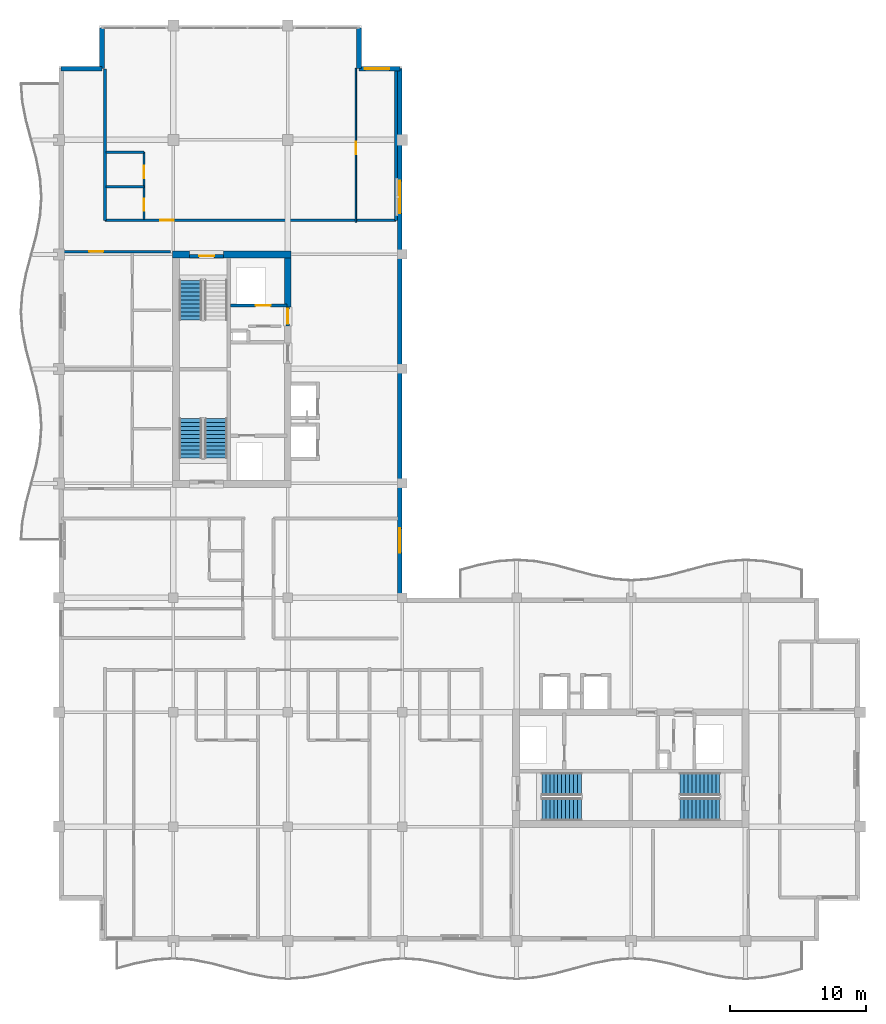
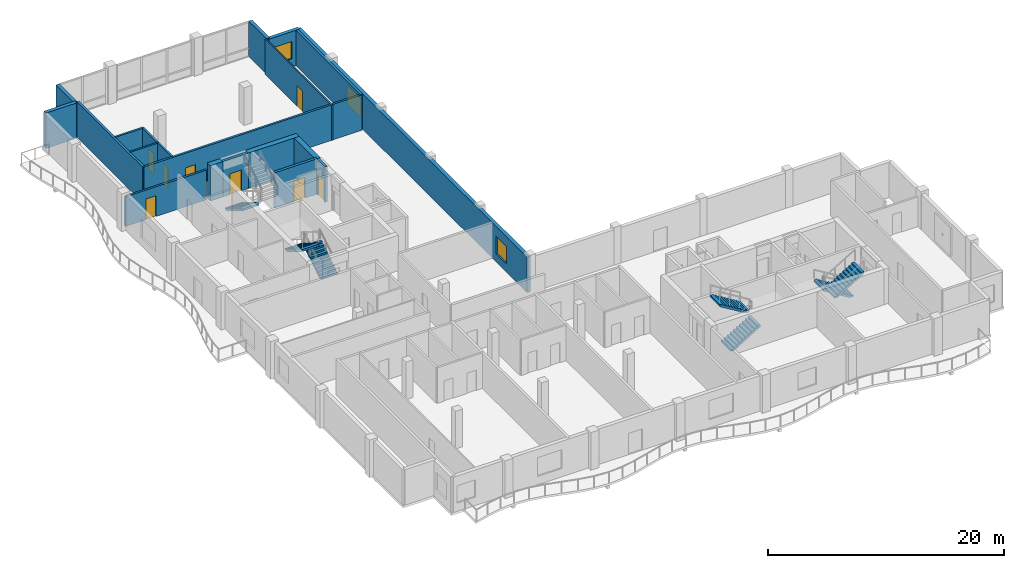
# One storey, part 10 of 17: 19 walls, 8 doors, 7 stair flights, 3 windows, 11 openings, 4 elements without a shape of their own.
"""IFC4 building model written with IfcOpenShell, lengths in metres."""

from ifc_helpers import new_model, si_unit, direction, frame, frame_2d, origin, place, context, subcontext, project, spatial, polyline, rectangle, outline, extrude, material, layer, layer_set, type_object, element, fill, aggregate, save


model = new_model("IFC4")

# Units and contexts
model_context = context("Model", 3, precision=1e-05, world=origin(), true_north=direction((0.0, 1.0)))
body_context = subcontext(model_context, "Body", "Model", "MODEL_VIEW")
ifc_project = project(units=[si_unit("LENGTHUNIT", "METRE"), si_unit("AREAUNIT", "SQUARE_METRE"), si_unit("VOLUMEUNIT", "CUBIC_METRE"), si_unit("PLANEANGLEUNIT", "RADIAN"), si_unit("MASSUNIT", "GRAM", prefix="KILO")], contexts=[model_context])

# Site, building, storey
site_placement = place(None, origin())
site = spatial("IfcSite", under=ifc_project, at=site_placement, CompositionType="ELEMENT")
building_placement = place(site_placement, origin())
building = spatial("IfcBuilding", under=site, at=building_placement, Name="Koriwani Terraces Tower", CompositionType="ELEMENT")
storey_placement = place(building_placement, frame((0.0, 0.0, 316.39990234375)))
storey = spatial("IfcBuildingStorey", under=building, at=storey_placement, Name="L78", CompositionType="ELEMENT", Elevation=316.39990234375)

# Walls
ifc_material_1 = material(Name="Concrete C50/60", Category="concrete")
ifc_layer_1 = layer(ifc_material_1, 0.5, Name="Concrete C50/60")
ifc_layer_set_1 = layer_set([ifc_layer_1], Name="Concrete C50/60")
wall_type_1 = type_object("IfcWallType", Name="WALL_CORE_RC_500", PredefinedType="SHEAR", material=ifc_layer_set_1)
wall_1_placement = place(storey_placement, frame((16.75, 58.800048828125, 0.0), z_axis=(0.0, 0.0, 1.0), x_axis=(1.0, 0.0, 0.0)))
element("IfcWall", 1, at=wall_1_placement, inside=storey, type_object=wall_type_1, Name="L78 West Split Core Shear Wall N1", PredefinedType="SHEAR", context=body_context, shape_type="SweptSolid", body=[
    extrude(rectangle(XDim=1.25, YDim=0.5, at=frame_2d((0.625, 0.0))), origin(), (0.0, 0.0, 1.0), 3.670166015625),
])
wall_2_placement = place(storey_placement, frame((20.5, 58.800048828125, 0.0), z_axis=(0.0, 0.0, 1.0), x_axis=(1.0, 0.0, 0.0)))
element("IfcWall", 2, at=wall_2_placement, inside=storey, type_object=wall_type_1, Name="L78 West Split Core Shear Wall N2", PredefinedType="SHEAR", context=body_context, shape_type="SweptSolid", body=[
    extrude(rectangle(XDim=4.949951171875, YDim=0.5, at=frame_2d((2.47509765625, 0.0))), origin(), (0.0, 0.0, 1.0), 3.670166015625),
])
wall_3_placement = place(storey_placement, frame((25.199951171875, 54.949951171875, 0.0), z_axis=(0.0, 0.0, 1.0), x_axis=(0.0, 1.0, 0.0)))
element("IfcWall", 3, at=wall_3_placement, inside=storey, type_object=wall_type_1, Name="L78 West Split Core Shear Wall E3", PredefinedType="SHEAR", context=body_context, shape_type="SweptSolid", body=[
    extrude(rectangle(XDim=3.60009765625, YDim=0.5, at=frame_2d((1.800048828125, 0.0))), origin(), (0.0, 0.0, 1.0), 3.670166015625),
])

# Wall, opening, door
ifc_material_2 = material(Name="Autoclaved Cellular Concrete Blockwork", Category="masonry")
ifc_layer_2 = layer(ifc_material_2, 0.199951171875, Name="Autoclaved Cellular Concrete Blockwork")
ifc_layer_set_2 = layer_set([ifc_layer_2], Name="Autoclaved Cellular Concrete Blockwork")
wall_type_2 = type_object("IfcWallType", Name="WALL_CORRIDOR_200", PredefinedType="PARTITIONING", material=ifc_layer_set_2)
wall_4_placement = place(storey_placement, frame((8.64990234375, 59.0, 0.0), z_axis=(0.0, 0.0, 1.0), x_axis=(1.0, 0.0, 0.0)))
wall_4 = element("IfcWall", 4, at=wall_4_placement, inside=storey, type_object=wall_type_2, Name="L78 Interior Wall WRZ4-WN-L78", PredefinedType="PARTITIONING", context=body_context, shape_type="SweptSolid", body=[
    extrude(rectangle(XDim=7.9501953125, YDim=0.199951171875, at=frame_2d((3.97509765625, 0.0))), origin(), (0.0, 0.0, 1.0), 3.070068359375),
])
opening_1_placement = place(wall_4_placement, frame((2.0, 0.0, 0.0)))
opening_1 = element("IfcOpeningElement", 5, at=opening_1_placement, cuts=wall_4, Name="Opening D-05", PredefinedType="OPENING", context=body_context, shape_type="SweptSolid", body=[
    extrude(rectangle(XDim=1.0, YDim=2.14990234375, at=frame_2d((0.5, 1.074951171875))), frame((0.0, 0.10986328125, 0.0), z_axis=(0.0, -1.0, 0.0), x_axis=(1.0, 0.0, 0.0)), (0.0, 0.0, 1.0), 0.219970703125),
])
ifc_material_3 = material(Name="Architectural Oak Fire Door", Category="wood")
door_type_1 = type_object("IfcDoorType", Name="DOOR_SUITE_ENTRY_1000X2150", OperationType="NOTDEFINED", PredefinedType="DOOR", material=ifc_material_3)
door_1_placement = place(opening_1_placement, origin())
door_1 = element("IfcDoor", 6, at=door_1_placement, inside=storey, type_object=door_type_1, Name="Apartment 78RW2 Entrance Door", OperationType="SINGLE_SWING_RIGHT", OverallHeight=2.14990234375, OverallWidth=1.0, PredefinedType="DOOR", context=body_context, shape_type="SweptSolid", body=[
    extrude(rectangle(XDim=1.0, YDim=2.14990234375, at=frame_2d((0.5, 1.074951171875))), frame((0.0, 0.02490234375, 0.0), z_axis=(0.0, -1.0, 0.0), x_axis=(1.0, 0.0, 0.0)), (0.0, 0.0, 1.0), 0.050048828125),
])
fill(opening_1, door_1)

wall_5_placement = place(storey_placement, frame((11.800048828125, 61.300048828125, 0.0), z_axis=(0.0, 0.0, 1.0), x_axis=(1.0, 0.0, 0.0)))
wall_5 = element("IfcWall", 7, at=wall_5_placement, inside=storey, type_object=wall_type_2, Name="L78 Interior Wall WGB-L78-NT-S", PredefinedType="PARTITIONING", context=body_context, shape_type="SweptSolid", body=[
    extrude(rectangle(XDim=21.349853515625, YDim=0.199951171875, at=frame_2d((10.6748046875, 0.0))), origin(), (0.0, 0.0, 1.0), 3.670166015625),
])
opening_2_placement = place(wall_5_placement, frame((4.050048828125, 0.0, 0.0)))
opening_2 = element("IfcOpeningElement", 8, at=opening_2_placement, cuts=wall_5, Name="Opening D-05", PredefinedType="OPENING", context=body_context, shape_type="SweptSolid", body=[
    extrude(rectangle(XDim=1.0, YDim=2.14990234375, at=frame_2d((0.5, 1.074951171875))), frame((0.0, 0.10986328125, 0.0), z_axis=(0.0, -1.0, 0.0), x_axis=(1.0, 0.0, 0.0)), (0.0, 0.0, 1.0), 0.219970703125),
])
door_2_placement = place(opening_2_placement, origin())
door_2 = element("IfcDoor", 9, at=door_2_placement, inside=storey, type_object=door_type_1, Name="Apartment 78NT Entrance Door", OperationType="SINGLE_SWING_LEFT", OverallHeight=2.14990234375, OverallWidth=1.0, PredefinedType="DOOR", context=body_context, shape_type="SweptSolid", body=[
    extrude(rectangle(XDim=1.0, YDim=2.14990234375, at=frame_2d((0.5, 1.074951171875))), frame((0.0, 0.02490234375, 0.0), z_axis=(0.0, -1.0, 0.0), x_axis=(1.0, 0.0, 0.0)), (0.0, 0.0, 1.0), 0.050048828125),
])
fill(opening_2, door_2)

# Walls
ifc_layer_3 = layer(ifc_material_2, 0.219970703125, Name="Autoclaved Cellular Concrete Blockwork")
ifc_layer_set_3 = layer_set([ifc_layer_3], Name="Autoclaved Cellular Concrete Blockwork")
wall_type_3 = type_object("IfcWallType", Name="WALL_DEMISING_220", PredefinedType="PARTITIONING", material=ifc_layer_set_3)
for number, where, z_axis, x_axis, name in (
    (10, (33.14990234375, 61.300048828125, 0.0), (0.0, 0.0, 1.0), (0.0, 1.0, 0.0), "L78 Interior Wall WGB-L78-NT-E"),
    (11, (11.800048828125, 61.300048828125, 0.0), (0.0, 0.0, 1.0), (0.0, 1.0, 0.0), "L78 Interior Wall WGB-L78-NT-W"),
):
    element("IfcWall", number, at=place(storey_placement, frame(where, z_axis=z_axis, x_axis=x_axis)), inside=storey, type_object=wall_type_3, Name=name, PredefinedType="PARTITIONING", context=body_context, shape_type="SweptSolid", body=[
        extrude(rectangle(XDim=11.099853515625, YDim=0.219970703125, at=frame_2d((5.5498046875, 0.0))), origin(), (0.0, 0.0, 1.0), 3.670166015625),
    ])
ifc_layer_4 = layer(ifc_material_1, 0.35009765625, Name="Concrete C50/60")
ifc_layer_set_4 = layer_set([ifc_layer_4], Name="Concrete C50/60")
wall_type_4 = type_object("IfcWallType", Name="WALL_EXT_BRUTALIST_350", PredefinedType="STANDARD", material=ifc_layer_set_4)
for number, where, z_axis, x_axis, name in (
    (12, (8.574951171875, 72.425048828125, 0.0), (0.0, 0.0, 1.0), (1.0, 0.0, 0.0), "L78 Fair-Faced Brutalist Exterior Wall (N3)"),
    (13, (11.574951171875, 72.425048828125, 0.0), (0.0, 0.0, 1.0), (0.0, 1.0, 0.0), "L78 Fair-Faced Brutalist Exterior Wall (N4)"),
    (14, (30.425048828125, 75.425048828125, 0.0), (0.0, 0.0, 1.0), (0.0, -1.0, 0.0), "L78 Fair-Faced Brutalist Exterior Wall (N6)"),
):
    element("IfcWall", number, at=place(storey_placement, frame(where, z_axis=z_axis, x_axis=x_axis)), inside=storey, type_object=wall_type_4, Name=name, PredefinedType="STANDARD", context=body_context, shape_type="SweptSolid", body=[
        extrude(rectangle(XDim=3.0, YDim=0.35009765625, at=frame_2d((1.5, 0.0))), origin(), (0.0, 0.0, 1.0), 3.670166015625),
    ])

# Wall, opening, window
wall_6_placement = place(storey_placement, frame((30.425048828125, 72.425048828125, 0.0), z_axis=(0.0, 0.0, 1.0), x_axis=(1.0, 0.0, 0.0)))
wall_6 = element("IfcWall", 15, at=wall_6_placement, inside=storey, type_object=wall_type_4, Name="L78 Fair-Faced Brutalist Exterior Wall (N7)", PredefinedType="STANDARD", context=body_context, shape_type="SweptSolid", body=[
    extrude(rectangle(XDim=3.0, YDim=0.35009765625, at=frame_2d((1.5, 0.0))), origin(), (0.0, 0.0, 1.0), 3.670166015625),
])
opening_3_placement = place(wall_6_placement, frame((0.4375, 0.0, 0.85009765625)))
opening_3 = element("IfcOpeningElement", 16, at=opening_3_placement, cuts=wall_6, Name="Opening W-04", PredefinedType="OPENING", context=body_context, shape_type="SweptSolid", body=[
    extrude(rectangle(XDim=1.800048828125, YDim=1.800048828125, at=frame_2d((0.89990234375, 0.89990234375))), frame((0.0, 0.18505859375, 0.0), z_axis=(0.0, -1.0, 0.0), x_axis=(1.0, 0.0, 0.0)), (0.0, 0.0, 1.0), 0.3701171875),
])
ifc_material_4 = material(Name="Tempered Laminated Low-E Glass", Category="glass")
window_type_1 = type_object("IfcWindowType", Name="WIN_RES_BED_1800X1800", PartitioningType="DOUBLE_PANEL_VERTICAL", PredefinedType="WINDOW", material=ifc_material_4)
window_1_placement = place(opening_3_placement, origin())
window_1 = element("IfcWindow", 17, at=window_1_placement, inside=storey, type_object=window_type_1, Name="L78 Exterior Window (N7-R46)", OverallHeight=1.800048828125, OverallWidth=1.800048828125, PartitioningType="SINGLE_PANEL", PredefinedType="WINDOW", context=body_context, shape_type="SweptSolid", body=[
    extrude(rectangle(XDim=1.800048828125, YDim=1.800048828125, at=frame_2d((0.89990234375, 0.89990234375))), frame((0.0, 0.030029296875, 0.0), z_axis=(0.0, -1.0, 0.0), x_axis=(1.0, 0.0, 0.0)), (0.0, 0.0, 1.0), 0.06005859375),
])
fill(opening_3, window_1)

# Wall, openings, windows
wall_7_placement = place(storey_placement, frame((33.425048828125, 72.425048828125, 0.0), z_axis=(0.0, 0.0, 1.0), x_axis=(0.0, -1.0, 0.0)))
wall_7 = element("IfcWall", 18, at=wall_7_placement, inside=storey, type_object=wall_type_4, Name="L78 Fair-Faced Brutalist Exterior Wall (NW_IN)", PredefinedType="STANDARD", context=body_context, shape_type="SweptSolid", body=[
    extrude(rectangle(XDim=39.0, YDim=0.35009765625, at=frame_2d((19.5, 0.0))), origin(), (0.0, 0.0, 1.0), 3.670166015625),
])
opening_4_placement = place(wall_7_placement, frame((33.72509765625, 0.0, 0.85009765625)))
opening_4 = element("IfcOpeningElement", 19, at=opening_4_placement, cuts=wall_7, Name="Opening W-04", PredefinedType="OPENING", context=body_context, shape_type="SweptSolid", body=[
    extrude(rectangle(XDim=1.800048828125, YDim=1.800048828125, at=frame_2d((0.89990234375, 0.89990234375))), frame((0.0, 0.18505859375, 0.0), z_axis=(0.0, -1.0, 0.0), x_axis=(1.0, 0.0, 0.0)), (0.0, 0.0, 1.0), 0.3701171875),
])
opening_5_placement = place(wall_7_placement, frame((8.22509765625, 0.0, 0.85009765625)))
opening_5 = element("IfcOpeningElement", 20, at=opening_5_placement, cuts=wall_7, Name="Opening W-03", PredefinedType="OPENING", context=body_context, shape_type="SweptSolid", body=[
    extrude(rectangle(XDim=2.39990234375, YDim=1.949951171875, at=frame_2d((1.199951171875, 0.97509765625))), frame((0.0, 0.18505859375, 0.0), z_axis=(0.0, -1.0, 0.0), x_axis=(1.0, 0.0, 0.0)), (0.0, 0.0, 1.0), 0.3701171875),
])
window_2_placement = place(opening_4_placement, origin())
window_2 = element("IfcWindow", 21, at=window_2_placement, inside=storey, type_object=window_type_1, Name="L78 Exterior Window (NW_IN-2)", OverallHeight=1.800048828125, OverallWidth=1.800048828125, PartitioningType="SINGLE_PANEL", PredefinedType="WINDOW", context=body_context, shape_type="SweptSolid", body=[
    extrude(rectangle(XDim=1.800048828125, YDim=1.800048828125, at=frame_2d((0.89990234375, 0.89990234375))), frame((0.0, 0.030029296875, 0.0), z_axis=(0.0, -1.0, 0.0), x_axis=(1.0, 0.0, 0.0)), (0.0, 0.0, 1.0), 0.06005859375),
])
fill(opening_4, window_2)
window_type_2 = type_object("IfcWindowType", Name="WIN_RES_LIVING_2400X1950", PartitioningType="DOUBLE_PANEL_VERTICAL", PredefinedType="WINDOW", material=ifc_material_4)
window_3_placement = place(opening_5_placement, origin())
window_3 = element("IfcWindow", 22, at=window_3_placement, inside=storey, type_object=window_type_2, Name="L78 Exterior Window (NW_IN-11)", OverallHeight=1.949951171875, OverallWidth=2.39990234375, PartitioningType="SINGLE_PANEL", PredefinedType="WINDOW", context=body_context, shape_type="SweptSolid", body=[
    extrude(rectangle(XDim=2.39990234375, YDim=1.949951171875, at=frame_2d((1.199951171875, 0.97509765625))), frame((0.0, 0.030029296875, 0.0), z_axis=(0.0, -1.0, 0.0), x_axis=(1.0, 0.0, 0.0)), (0.0, 0.0, 1.0), 0.06005859375),
])
fill(opening_5, window_3)

# Wall, opening, door
ifc_material_5 = material(Name="Fire-Rated Acoustic Gypsum Partition", Category="masonry")
ifc_layer_5 = layer(ifc_material_5, 0.125, Name="Fire-Rated Acoustic Gypsum Partition")
ifc_layer_set_5 = layer_set([ifc_layer_5], Name="Fire-Rated Acoustic Gypsum Partition")
wall_type_5 = type_object("IfcWallType", Name="WALL_INT_125", PredefinedType="PARTITIONING", material=ifc_layer_set_5)
wall_8_placement = place(storey_placement, frame((30.199951171875, 61.14990234375, 0.0), z_axis=(0.0, 0.0, 1.0), x_axis=(0.0, 1.0, 0.0)))
wall_8 = element("IfcWall", 23, at=wall_8_placement, inside=storey, type_object=wall_type_5, Name="L78 Interior Wall WGB-L78-NT-BD", PredefinedType="PARTITIONING", context=body_context, shape_type="SweptSolid", body=[
    extrude(rectangle(XDim=11.300048828125, YDim=0.125, at=frame_2d((5.64990234375, 0.0))), origin(), (0.0, 0.0, 1.0), 3.670166015625),
])
opening_6_placement = place(wall_8_placement, frame((4.9951171875, 0.0, 0.0)))
opening_6 = element("IfcOpeningElement", 24, at=opening_6_placement, cuts=wall_8, Name="Opening D-06", PredefinedType="OPENING", context=body_context, shape_type="SweptSolid", body=[
    extrude(rectangle(XDim=0.919921875, YDim=2.10009765625, at=frame_2d((0.4599609375, 1.050048828125))), frame((0.0, 0.072509765625, 0.0), z_axis=(0.0, -1.0, 0.0), x_axis=(1.0, 0.0, 0.0)), (0.0, 0.0, 1.0), 0.14501953125),
])
door_type_2 = type_object("IfcDoorType", Name="DOOR_ROOM_INT_920X2100", OperationType="NOTDEFINED", PredefinedType="DOOR", material=ifc_material_3)
door_3_placement = place(opening_6_placement, origin())
door_3 = element("IfcDoor", 25, at=door_3_placement, inside=storey, type_object=door_type_2, Name="Apartment 78NT Master Suite Door", OperationType="SINGLE_SWING_RIGHT", OverallHeight=2.10009765625, OverallWidth=0.919921875, PredefinedType="DOOR", context=body_context, shape_type="SweptSolid", body=[
    extrude(rectangle(XDim=0.919921875, YDim=2.10009765625, at=frame_2d((0.4599609375, 1.050048828125))), frame((0.0, 0.02490234375, 0.0), z_axis=(0.0, -1.0, 0.0), x_axis=(1.0, 0.0, 0.0)), (0.0, 0.0, 1.0), 0.050048828125),
])
fill(opening_6, door_3)

# Wall, openings, doors
ifc_layer_6 = layer(ifc_material_5, 0.179931640625, Name="Fire-Rated Acoustic Gypsum Partition")
ifc_layer_set_6 = layer_set([ifc_layer_6], Name="Fire-Rated Acoustic Gypsum Partition")
wall_type_6 = type_object("IfcWallType", Name="WALL_PLUMBING_180", PredefinedType="PLUMBINGWALL", material=ifc_layer_set_6)
wall_9_placement = place(storey_placement, frame((14.64990234375, 61.35009765625, 0.0), z_axis=(0.0, 0.0, 1.0), x_axis=(0.0, 1.0, 0.0)))
wall_9 = element("IfcWall", 26, at=wall_9_placement, inside=storey, type_object=wall_type_6, Name="L78 Interior Wall WGB-L78-NT-SVB", PredefinedType="PLUMBINGWALL", context=body_context, shape_type="SweptSolid", body=[
    extrude(rectangle(XDim=4.949951171875, YDim=0.179931640625, at=frame_2d((2.47509765625, 0.0))), origin(), (0.0, 0.0, 1.0), 3.670166015625),
])
opening_7_placement = place(wall_9_placement, frame((0.64990234375, 0.0, 0.0)))
opening_7 = element("IfcOpeningElement", 27, at=opening_7_placement, cuts=wall_9, Name="Opening D-07", PredefinedType="OPENING", context=body_context, shape_type="SweptSolid", body=[
    extrude(rectangle(XDim=0.89990234375, YDim=2.10009765625, at=frame_2d((0.449951171875, 1.050048828125))), frame((0.0, 0.10009765625, 0.0), z_axis=(0.0, -1.0, 0.0), x_axis=(1.0, 0.0, 0.0)), (0.0, 0.0, 1.0), 0.199951171875),
])
opening_8_placement = place(wall_9_placement, frame((3.050048828125, 0.0, 0.0)))
opening_8 = element("IfcOpeningElement", 28, at=opening_8_placement, cuts=wall_9, Name="Opening D-06", PredefinedType="OPENING", context=body_context, shape_type="SweptSolid", body=[
    extrude(rectangle(XDim=0.919921875, YDim=2.10009765625, at=frame_2d((0.4599609375, 1.050048828125))), frame((0.0, 0.10009765625, 0.0), z_axis=(0.0, -1.0, 0.0), x_axis=(1.0, 0.0, 0.0)), (0.0, 0.0, 1.0), 0.199951171875),
])
door_type_3 = type_object("IfcDoorType", Name="DOOR_BATH_INT_900X2100", OperationType="NOTDEFINED", PredefinedType="DOOR", material=ifc_material_3)
door_4_placement = place(opening_7_placement, origin())
door_4 = element("IfcDoor", 29, at=door_4_placement, inside=storey, type_object=door_type_3, Name="Apartment 78NT Bathroom Door", OperationType="SINGLE_SWING_RIGHT", OverallHeight=2.10009765625, OverallWidth=0.89990234375, PredefinedType="DOOR", context=body_context, shape_type="SweptSolid", body=[
    extrude(rectangle(XDim=0.89990234375, YDim=2.10009765625, at=frame_2d((0.449951171875, 1.050048828125))), frame((0.0, 0.02490234375, 0.0), z_axis=(0.0, -1.0, 0.0), x_axis=(1.0, 0.0, 0.0)), (0.0, 0.0, 1.0), 0.050048828125),
])
fill(opening_7, door_4)
door_5_placement = place(opening_8_placement, origin())
door_5 = element("IfcDoor", 30, at=door_5_placement, inside=storey, type_object=door_type_2, Name="Apartment 78NT Kitchen Door", OperationType="SINGLE_SWING_LEFT", OverallHeight=2.10009765625, OverallWidth=0.919921875, PredefinedType="DOOR", context=body_context, shape_type="SweptSolid", body=[
    extrude(rectangle(XDim=0.919921875, YDim=2.10009765625, at=frame_2d((0.4599609375, 1.050048828125))), frame((0.0, 0.02490234375, 0.0), z_axis=(0.0, -1.0, 0.0), x_axis=(1.0, 0.0, 0.0)), (0.0, 0.0, 1.0), 0.050048828125),
])
fill(opening_8, door_5)

# Walls
for number, where, z_axis, x_axis, name in (
    (31, (11.85009765625, 63.75, 0.0), (0.0, 0.0, 1.0), (1.0, 0.0, 0.0), "L78 Interior Wall WGB-L78-NT-SVM"),
    (32, (11.85009765625, 66.300048828125, 0.0), (0.0, 0.0, 1.0), (1.0, 0.0, 0.0), "L78 Interior Wall WGB-L78-NT-SV2"),
):
    element("IfcWall", number, at=place(storey_placement, frame(where, z_axis=z_axis, x_axis=x_axis)), inside=storey, type_object=wall_type_6, Name=name, PredefinedType="PLUMBINGWALL", context=body_context, shape_type="SweptSolid", body=[
        extrude(rectangle(XDim=2.7998046875, YDim=0.179931640625, at=frame_2d((1.39990234375, 0.0))), origin(), (0.0, 0.0, 1.0), 3.670166015625),
    ])

# Wall, opening, door
ifc_material_6 = material(Name="Concrete C40/50", Category="concrete")
ifc_layer_7 = layer(ifc_material_6, 0.25, Name="Concrete C40/50")
ifc_layer_set_7 = layer_set([ifc_layer_7], Name="Concrete C40/50")
wall_type_7 = type_object("IfcWallType", Name="WALL_SHAFT_RATED_250", PredefinedType="SOLIDWALL", material=ifc_layer_set_7)
wall_10_placement = place(storey_placement, frame((18.0, 58.675048828125, 0.0), z_axis=(0.0, 0.0, 1.0), x_axis=(1.0, 0.0, 0.0)))
wall_10 = element("IfcWall", 33, at=wall_10_placement, inside=storey, type_object=wall_type_7, Name="L78 Interior Wall WIN-CW-L78-STN", PredefinedType="SOLIDWALL", context=body_context, shape_type="SweptSolid", body=[
    extrude(rectangle(XDim=2.5, YDim=0.25, at=frame_2d((1.25, 0.0))), origin(), (0.0, 0.0, 1.0), 3.670166015625),
])
opening_9_placement = place(wall_10_placement, frame((0.699951171875, 0.0, 0.0)))
opening_9 = element("IfcOpeningElement", 34, at=opening_9_placement, cuts=wall_10, Name="Opening D-03", PredefinedType="OPENING", context=body_context, shape_type="SweptSolid", body=[
    extrude(rectangle(XDim=1.10009765625, YDim=2.14990234375, at=frame_2d((0.550048828125, 1.074951171875))), frame((0.0, 0.135009765625, 0.0), z_axis=(0.0, -1.0, 0.0), x_axis=(1.0, 0.0, 0.0)), (0.0, 0.0, 1.0), 0.27001953125),
])
ifc_material_7 = material(Name="Steel ASTM A572 Grade 50", Category="steel")
door_type_4 = type_object("IfcDoorType", Name="DOOR_STAIR_FIRE_1100X2150", OperationType="NOTDEFINED", PredefinedType="DOOR", material=ifc_material_7)
door_6_placement = place(opening_9_placement, origin())
door_6 = element("IfcDoor", 35, at=door_6_placement, inside=storey, type_object=door_type_4, Name="L78 Exit Stair ST-W2 Door", OperationType="SINGLE_SWING_LEFT", OverallHeight=2.14990234375, OverallWidth=1.10009765625, PredefinedType="DOOR", context=body_context, shape_type="SweptSolid", body=[
    extrude(rectangle(XDim=1.10009765625, YDim=2.14990234375, at=frame_2d((0.550048828125, 1.074951171875))), frame((0.0, 0.02490234375, 0.0), z_axis=(0.0, -1.0, 0.0), x_axis=(1.0, 0.0, 0.0)), (0.0, 0.0, 1.0), 0.050048828125),
])
fill(opening_9, door_6)

wall_11_placement = place(storey_placement, frame((21.0, 55.050048828125, 0.0), z_axis=(0.0, 0.0, 1.0), x_axis=(1.0, 0.0, 0.0)))
wall_11 = element("IfcWall", 36, at=wall_11_placement, inside=storey, type_object=wall_type_7, Name="L78 Interior Wall WIN-CW-L78-SE", PredefinedType="SOLIDWALL", context=body_context, shape_type="SweptSolid", body=[
    extrude(rectangle(XDim=4.14990234375, YDim=0.25, at=frame_2d((2.074951171875, 0.0))), origin(), (0.0, 0.0, 1.0), 3.670166015625),
])
opening_10_placement = place(wall_11_placement, frame((1.85009765625, 0.0, 0.0)))
opening_10 = element("IfcOpeningElement", 37, at=opening_10_placement, cuts=wall_11, Name="Opening LD-01", PredefinedType="OPENING", context=body_context, shape_type="SweptSolid", body=[
    extrude(rectangle(XDim=1.10009765625, YDim=2.14990234375, at=frame_2d((0.550048828125, 1.074951171875))), frame((0.0, 0.135009765625, 0.0), z_axis=(0.0, -1.0, 0.0), x_axis=(1.0, 0.0, 0.0)), (0.0, 0.0, 1.0), 0.27001953125),
])
door_type_5 = type_object("IfcDoorType", Name="DOOR_LIFT_LANDING_1100X2200", OperationType="NOTDEFINED", PredefinedType="DOOR", material=ifc_material_7)
door_7_placement = place(opening_10_placement, origin())
door_7 = element("IfcDoor", 38, at=door_7_placement, inside=storey, type_object=door_type_5, Name="L78 Goods Lift SE-01 Landing Door", OperationType="SLIDING_TO_LEFT", OverallHeight=2.14990234375, OverallWidth=1.10009765625, PredefinedType="DOOR", context=body_context, shape_type="SweptSolid", body=[
    extrude(rectangle(XDim=1.10009765625, YDim=2.14990234375, at=frame_2d((0.550048828125, 1.074951171875))), frame((0.0, 0.02490234375, 0.0), z_axis=(0.0, -1.0, 0.0), x_axis=(1.0, 0.0, 0.0)), (0.0, 0.0, 1.0), 0.050048828125),
])
fill(opening_10, door_7)

wall_12_placement = place(storey_placement, frame((25.199951171875, 53.550048828125, 0.0), z_axis=(0.0, 0.0, 1.0), x_axis=(0.0, 1.0, 0.0)))
wall_12 = element("IfcWall", 39, at=wall_12_placement, inside=storey, type_object=wall_type_7, Name="L78 Interior Wall WIN-CW-L78-EP2", PredefinedType="SOLIDWALL", context=body_context, shape_type="SweptSolid", body=[
    extrude(rectangle(XDim=1.39990234375, YDim=0.25, at=frame_2d((0.699951171875, 0.0))), origin(), (0.0, 0.0, 1.0), 3.670166015625),
])
opening_11_placement = place(wall_12_placement, frame((0.14990234375, 0.0, 0.0)))
opening_11 = element("IfcOpeningElement", 40, at=opening_11_placement, cuts=wall_12, Name="Opening D-03", PredefinedType="OPENING", context=body_context, shape_type="SweptSolid", body=[
    extrude(rectangle(XDim=1.10009765625, YDim=2.14990234375, at=frame_2d((0.550048828125, 1.074951171875))), frame((0.0, 0.135009765625, 0.0), z_axis=(0.0, -1.0, 0.0), x_axis=(1.0, 0.0, 0.0)), (0.0, 0.0, 1.0), 0.27001953125),
])
door_8_placement = place(opening_11_placement, origin())
door_8 = element("IfcDoor", 41, at=door_8_placement, inside=storey, type_object=door_type_4, Name="L78 West Goods Lift Lobby Door", OperationType="SINGLE_SWING_LEFT", OverallHeight=2.14990234375, OverallWidth=1.10009765625, PredefinedType="DOOR", context=body_context, shape_type="SweptSolid", body=[
    extrude(rectangle(XDim=1.10009765625, YDim=2.14990234375, at=frame_2d((0.550048828125, 1.074951171875))), frame((0.0, 0.02490234375, 0.0), z_axis=(0.0, -1.0, 0.0), x_axis=(1.0, 0.0, 0.0)), (0.0, 0.0, 1.0), 0.050048828125),
])
fill(opening_11, door_8)

# Stair, stair flights
stair_type = type_object("IfcStairType", Name="STAIR_CORE_DOGLEG_1650", PredefinedType="TWO_STRAIGHT_RUN_STAIR", material=ifc_material_6)
stair_1_placement = place(storey_placement, origin())
stair_1 = element("IfcStair", 42, at=stair_1_placement, inside=storey, type_object=stair_type, Name="L78 West Core Exit Stair 1", PredefinedType="HALF_TURN_STAIR")
stair_flight_type = type_object("IfcStairFlightType", Name="STAIR_FLIGHT_RC_1650", PredefinedType="STRAIGHT", material=ifc_material_6)
stair_flight_1_placement = place(storey_placement, frame((19.925048828125, 43.85009765625, 0.0), z_axis=(0.0, 0.0, 1.0), x_axis=(0.0, 1.0, 0.0)))
stair_flight_1 = element("IfcStairFlight", 43, at=stair_flight_1_placement, type_object=stair_flight_type, Name="ST-W1 flight 1", NumberOfRisers=11, NumberOfTreads=10, PredefinedType="STRAIGHT", RiserHeight=0.177272727, TreadLength=0.29, context=body_context, shape_type="SweptSolid", body=[
    extrude(outline(polyline([(0.0, 0.0), (0.0, 0.17724609375), (0.2900390625, 0.17724609375), (0.2900390625, 0.3544921875), (0.580078125, 0.3544921875), (0.580078125, 0.53173828125), (0.8701171875, 0.53173828125), (0.8701171875, 0.708984375), (1.159912109375, 0.708984375), (1.159912109375, 0.886474609375), (1.449951171875, 0.886474609375), (1.449951171875, 1.063720703125), (1.739990234375, 1.063720703125), (1.739990234375, 1.240966796875), (2.030029296875, 1.240966796875), (2.030029296875, 1.418212890625), (2.320068359375, 1.418212890625), (2.320068359375, 1.595458984375), (2.610107421875, 1.595458984375), (2.610107421875, 1.772705078125), (2.89990234375, 1.772705078125), (2.89990234375, 1.949951171875), (2.89990234375, 1.561767578125), (0.344970703125, 0.0), (0.0, 0.0)])), frame((0.0, 0.824951171875, 0.0), z_axis=(0.0, -1.0, 0.0), x_axis=(1.0, 0.0, 0.0)), (0.0, 0.0, 1.0), 1.64990234375),
])
stair_flight_2_placement = place(storey_placement, frame((18.074951171875, 46.75, 1.9501953125), z_axis=(0.0, 0.0, 1.0), x_axis=(0.0, -1.0, 0.0)))
stair_flight_2 = element("IfcStairFlight", 44, at=stair_flight_2_placement, type_object=stair_flight_type, Name="ST-W1 flight 2", NumberOfRisers=11, NumberOfTreads=10, PredefinedType="STRAIGHT", RiserHeight=0.177272727, TreadLength=0.29, context=body_context, shape_type="SweptSolid", body=[
    extrude(outline(polyline([(0.0, 0.0), (0.0, 0.17724609375), (0.2900390625, 0.17724609375), (0.2900390625, 0.3544921875), (0.580078125, 0.3544921875), (0.580078125, 0.53173828125), (0.8701171875, 0.53173828125), (0.8701171875, 0.708984375), (1.159912109375, 0.708984375), (1.159912109375, 0.886474609375), (1.449951171875, 0.886474609375), (1.449951171875, 1.063720703125), (1.739990234375, 1.063720703125), (1.739990234375, 1.240966796875), (2.030029296875, 1.240966796875), (2.030029296875, 1.418212890625), (2.320068359375, 1.418212890625), (2.320068359375, 1.595458984375), (2.610107421875, 1.595458984375), (2.610107421875, 1.772705078125), (2.89990234375, 1.772705078125), (2.89990234375, 1.949951171875), (2.89990234375, 1.561767578125), (0.344970703125, 0.0), (0.0, 0.0)])), frame((0.0, 0.824951171875, 0.0), z_axis=(0.0, -1.0, 0.0), x_axis=(1.0, 0.0, 0.0)), (0.0, 0.0, 1.0), 1.64990234375),
])
aggregate(stair_1, [stair_flight_1, stair_flight_2])

# Stair, stair flight
stair_2_placement = place(storey_placement, origin())
stair_2 = element("IfcStair", 45, at=stair_2_placement, inside=storey, type_object=stair_type, Name="L78 West Core Exit Stair 2", PredefinedType="HALF_TURN_STAIR")
stair_flight_3_placement = place(storey_placement, frame((18.074951171875, 56.89990234375, 0.0), z_axis=(0.0, 0.0, 1.0), x_axis=(0.0, -1.0, 0.0)))
stair_flight_3 = element("IfcStairFlight", 46, at=stair_flight_3_placement, type_object=stair_flight_type, Name="ST-W2 flight 1", NumberOfRisers=11, NumberOfTreads=10, PredefinedType="STRAIGHT", RiserHeight=0.177272727, TreadLength=0.29, context=body_context, shape_type="SweptSolid", body=[
    extrude(outline(polyline([(0.0, 0.0), (0.0, 0.17724609375), (0.2900390625, 0.17724609375), (0.2900390625, 0.3544921875), (0.580078125, 0.3544921875), (0.580078125, 0.53173828125), (0.8701171875, 0.53173828125), (0.8701171875, 0.708984375), (1.159912109375, 0.708984375), (1.159912109375, 0.886474609375), (1.449951171875, 0.886474609375), (1.449951171875, 1.063720703125), (1.739990234375, 1.063720703125), (1.739990234375, 1.240966796875), (2.030029296875, 1.240966796875), (2.030029296875, 1.418212890625), (2.320068359375, 1.418212890625), (2.320068359375, 1.595458984375), (2.610107421875, 1.595458984375), (2.610107421875, 1.772705078125), (2.89990234375, 1.772705078125), (2.89990234375, 1.949951171875), (2.89990234375, 1.561767578125), (0.344970703125, 0.0), (0.0, 0.0)])), frame((0.0, 0.824951171875, 0.0), z_axis=(0.0, -1.0, 0.0), x_axis=(1.0, 0.0, 0.0)), (0.0, 0.0, 1.0), 1.64990234375),
])
aggregate(stair_2, [stair_flight_3])

# Stair, stair flights
stair_3_placement = place(storey_placement, origin())
stair_3 = element("IfcStair", 47, at=stair_3_placement, inside=storey, type_object=stair_type, Name="L78 East Core Exit Stair 1", PredefinedType="HALF_TURN_STAIR")
stair_flight_4_placement = place(storey_placement, frame((43.85009765625, 18.074951171875, 0.0), z_axis=(0.0, 0.0, 1.0), x_axis=(1.0, 0.0, 0.0)))
stair_flight_4 = element("IfcStairFlight", 48, at=stair_flight_4_placement, type_object=stair_flight_type, Name="ST-E1 flight 1", NumberOfRisers=11, NumberOfTreads=10, PredefinedType="STRAIGHT", RiserHeight=0.177272727, TreadLength=0.29, context=body_context, shape_type="SweptSolid", body=[
    extrude(outline(polyline([(0.0, 0.0), (0.0, 0.17724609375), (0.2900390625, 0.17724609375), (0.2900390625, 0.3544921875), (0.580078125, 0.3544921875), (0.580078125, 0.53173828125), (0.8701171875, 0.53173828125), (0.8701171875, 0.708984375), (1.159912109375, 0.708984375), (1.159912109375, 0.886474609375), (1.449951171875, 0.886474609375), (1.449951171875, 1.063720703125), (1.739990234375, 1.063720703125), (1.739990234375, 1.240966796875), (2.030029296875, 1.240966796875), (2.030029296875, 1.418212890625), (2.320068359375, 1.418212890625), (2.320068359375, 1.595458984375), (2.610107421875, 1.595458984375), (2.610107421875, 1.772705078125), (2.89990234375, 1.772705078125), (2.89990234375, 1.949951171875), (2.89990234375, 1.561767578125), (0.344970703125, 0.0), (0.0, 0.0)])), frame((0.0, 0.824951171875, 0.0), z_axis=(0.0, -1.0, 0.0), x_axis=(1.0, 0.0, 0.0)), (0.0, 0.0, 1.0), 1.64990234375),
])
stair_flight_5_placement = place(storey_placement, frame((46.75, 19.925048828125, 1.9501953125), z_axis=(0.0, 0.0, 1.0), x_axis=(-1.0, 0.0, 0.0)))
stair_flight_5 = element("IfcStairFlight", 49, at=stair_flight_5_placement, type_object=stair_flight_type, Name="ST-E1 flight 2", NumberOfRisers=11, NumberOfTreads=10, PredefinedType="STRAIGHT", RiserHeight=0.177272727, TreadLength=0.29, context=body_context, shape_type="SweptSolid", body=[
    extrude(outline(polyline([(0.0, 0.0), (0.0, 0.17724609375), (0.2900390625, 0.17724609375), (0.2900390625, 0.3544921875), (0.580078125, 0.3544921875), (0.580078125, 0.53173828125), (0.8701171875, 0.53173828125), (0.8701171875, 0.708984375), (1.159912109375, 0.708984375), (1.159912109375, 0.886474609375), (1.449951171875, 0.886474609375), (1.449951171875, 1.063720703125), (1.739990234375, 1.063720703125), (1.739990234375, 1.240966796875), (2.030029296875, 1.240966796875), (2.030029296875, 1.418212890625), (2.320068359375, 1.418212890625), (2.320068359375, 1.595458984375), (2.610107421875, 1.595458984375), (2.610107421875, 1.772705078125), (2.89990234375, 1.772705078125), (2.89990234375, 1.949951171875), (2.89990234375, 1.561767578125), (0.344970703125, 0.0), (0.0, 0.0)])), frame((0.0, 0.824951171875, 0.0), z_axis=(0.0, -1.0, 0.0), x_axis=(1.0, 0.0, 0.0)), (0.0, 0.0, 1.0), 1.64990234375),
])
aggregate(stair_3, [stair_flight_4, stair_flight_5])

stair_4_placement = place(storey_placement, origin())
stair_4 = element("IfcStair", 50, at=stair_4_placement, inside=storey, type_object=stair_type, Name="L78 East Core Exit Stair 2", PredefinedType="HALF_TURN_STAIR")
stair_flight_6_placement = place(storey_placement, frame((56.89990234375, 19.925048828125, 0.0), z_axis=(0.0, 0.0, 1.0), x_axis=(-1.0, 0.0, 0.0)))
stair_flight_6 = element("IfcStairFlight", 51, at=stair_flight_6_placement, type_object=stair_flight_type, Name="ST-E2 flight 1", NumberOfRisers=11, NumberOfTreads=10, PredefinedType="STRAIGHT", RiserHeight=0.177272727, TreadLength=0.29, context=body_context, shape_type="SweptSolid", body=[
    extrude(outline(polyline([(0.0, 0.0), (0.0, 0.17724609375), (0.2900390625, 0.17724609375), (0.2900390625, 0.3544921875), (0.580078125, 0.3544921875), (0.580078125, 0.53173828125), (0.8701171875, 0.53173828125), (0.8701171875, 0.708984375), (1.159912109375, 0.708984375), (1.159912109375, 0.886474609375), (1.449951171875, 0.886474609375), (1.449951171875, 1.063720703125), (1.739990234375, 1.063720703125), (1.739990234375, 1.240966796875), (2.030029296875, 1.240966796875), (2.030029296875, 1.418212890625), (2.320068359375, 1.418212890625), (2.320068359375, 1.595458984375), (2.610107421875, 1.595458984375), (2.610107421875, 1.772705078125), (2.89990234375, 1.772705078125), (2.89990234375, 1.949951171875), (2.89990234375, 1.561767578125), (0.344970703125, 0.0), (0.0, 0.0)])), frame((0.0, 0.824951171875, 0.0), z_axis=(0.0, -1.0, 0.0), x_axis=(1.0, 0.0, 0.0)), (0.0, 0.0, 1.0), 1.64990234375),
])
stair_flight_7_placement = place(storey_placement, frame((54.0, 18.074951171875, 1.9501953125), z_axis=(0.0, 0.0, 1.0), x_axis=(1.0, 0.0, 0.0)))
stair_flight_7 = element("IfcStairFlight", 52, at=stair_flight_7_placement, type_object=stair_flight_type, Name="ST-E2 flight 2", NumberOfRisers=11, NumberOfTreads=10, PredefinedType="STRAIGHT", RiserHeight=0.177272727, TreadLength=0.29, context=body_context, shape_type="SweptSolid", body=[
    extrude(outline(polyline([(0.0, 0.0), (0.0, 0.17724609375), (0.2900390625, 0.17724609375), (0.2900390625, 0.3544921875), (0.580078125, 0.3544921875), (0.580078125, 0.53173828125), (0.8701171875, 0.53173828125), (0.8701171875, 0.708984375), (1.159912109375, 0.708984375), (1.159912109375, 0.886474609375), (1.449951171875, 0.886474609375), (1.449951171875, 1.063720703125), (1.739990234375, 1.063720703125), (1.739990234375, 1.240966796875), (2.030029296875, 1.240966796875), (2.030029296875, 1.418212890625), (2.320068359375, 1.418212890625), (2.320068359375, 1.595458984375), (2.610107421875, 1.595458984375), (2.610107421875, 1.772705078125), (2.89990234375, 1.772705078125), (2.89990234375, 1.949951171875), (2.89990234375, 1.561767578125), (0.344970703125, 0.0), (0.0, 0.0)])), frame((0.0, 0.824951171875, 0.0), z_axis=(0.0, -1.0, 0.0), x_axis=(1.0, 0.0, 0.0)), (0.0, 0.0, 1.0), 1.64990234375),
])
aggregate(stair_4, [stair_flight_6, stair_flight_7])

save(model, "model.ifc")
